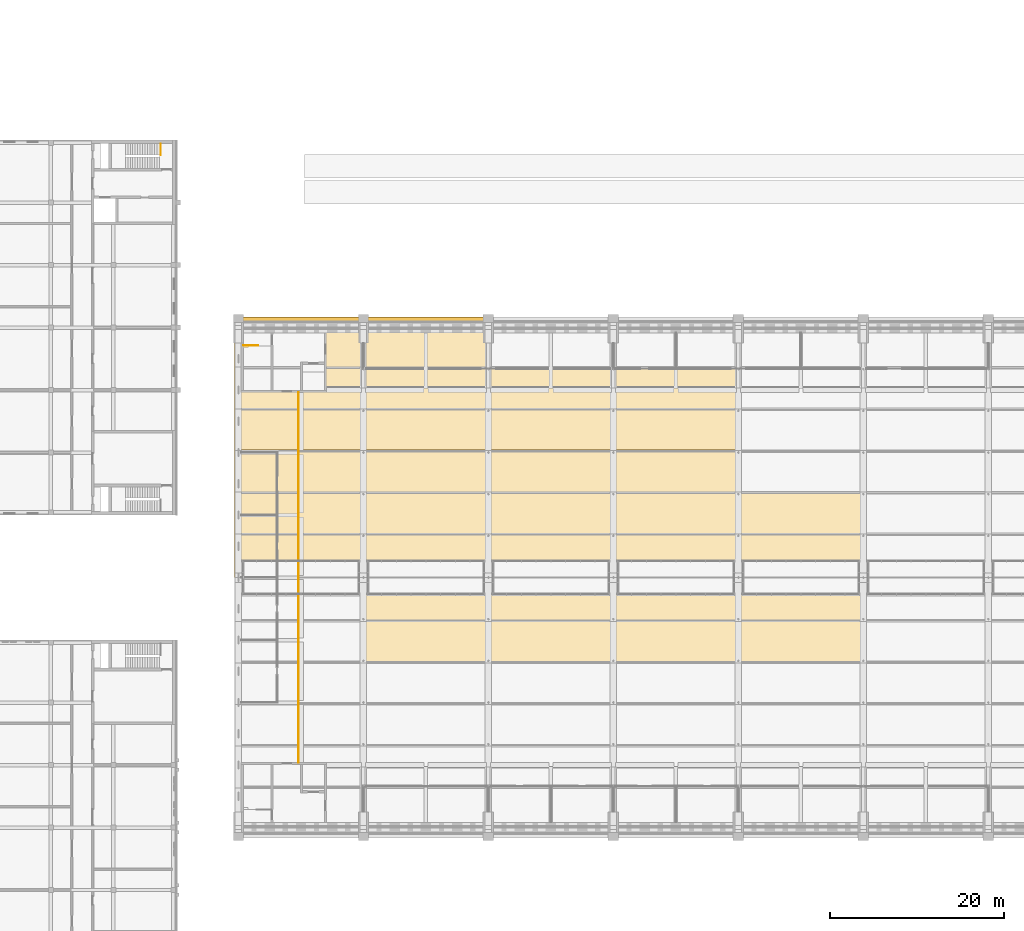
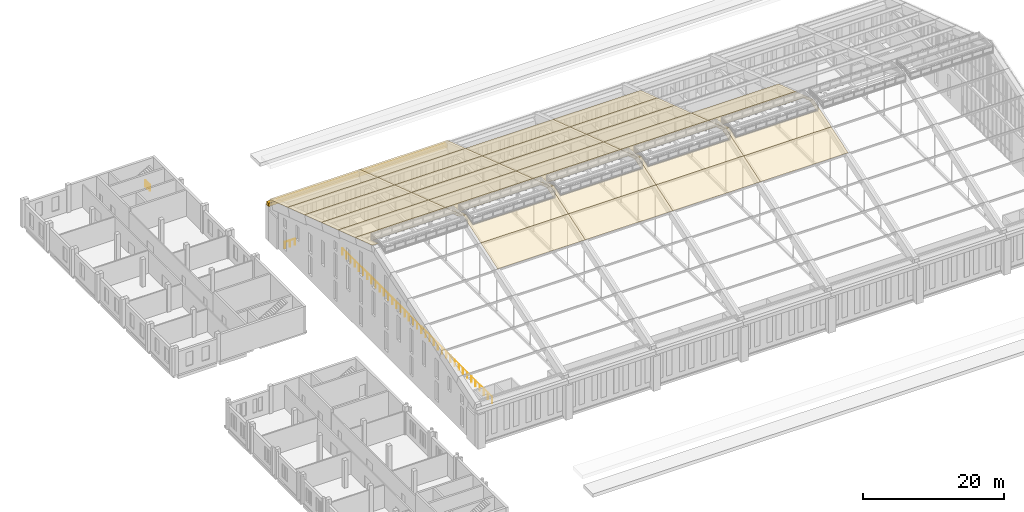
# One storey, part 147 of 149: 34 coverings, 3 railings.
"""IFC4 building model written with IfcOpenShell, lengths in metres."""

import ifcopenshell
import ifcopenshell.guid

model = None  # the IFC model being written
_history = None  # IfcOwnerHistory: only IFC2X3 demands one
_inside = {}  # id of a spatial element -> (the spatial element, [elements in it])
_under = {}  # id of a project, library or spatial element -> (it, [spatial elements below it])
_declared = {}  # id of a project -> (the project, [libraries it declares])
_typed = {}  # id of a type object -> (the type object, [elements of that type])
_made_of = {}  # id of a material, layer set ... -> (it, [elements and type objects made of it])


def new_model(schema):
    """Start an empty IFC model of exactly this schema.

    Asked for "IFC4X3", IfcOpenShell would pick the latest addendum, in which some entities
    have other attributes; the version numbers below select the first issue.
    IFC2X3 requires an IfcOwnerHistory on every rooted entity: one is made here for all.
    """
    global model, _history
    if schema == "IFC4X3":
        model = ifcopenshell.file(schema_version=(4, 3, 0, 0))
    else:
        model = ifcopenshell.file(schema=schema)
    _inside.clear()
    _under.clear()
    _declared.clear()
    _typed.clear()
    _made_of.clear()
    _history = None
    if model.schema == "IFC2X3":
        org = make("IfcOrganization", Name="unknown")
        user = make(
            "IfcPersonAndOrganization",
            ThePerson=make("IfcPerson", FamilyName="unknown"),
            TheOrganization=org,
        )
        app = make(
            "IfcApplication",
            ApplicationDeveloper=org,
            Version="unknown",
            ApplicationFullName="unknown",
            ApplicationIdentifier="unknown",
        )
        _history = make(
            "IfcOwnerHistory",
            OwningUser=user,
            OwningApplication=app,
            ChangeAction="ADDED",
            CreationDate=0,
        )
    return model


def make(cls, **values):
    """One entity of the class cls with the attributes given. An attribute that is None is left unset."""
    return model.create_entity(
        cls, **{name: value for name, value in values.items() if value is not None}
    )


def rooted(cls, **values):
    """An entity with a GlobalId (a new one), such as an element, a storey or a relation."""
    return make(cls, GlobalId=ifcopenshell.guid.new(), OwnerHistory=_history, **values)


def si_unit(unit_type, name, prefix=None):
    """IfcSIUnit, for example si_unit("LENGTHUNIT", "METRE", prefix="MILLI")."""
    return make("IfcSIUnit", UnitType=unit_type, Prefix=prefix, Name=name)


def assignment(units):
    """IfcUnitAssignment: the units of a project."""
    return None if units is None else make("IfcUnitAssignment", Units=units)


def point(xyz):
    """IfcCartesianPoint."""
    return None if xyz is None else make("IfcCartesianPoint", Coordinates=xyz)


def direction(xyz):
    """IfcDirection."""
    return None if xyz is None else make("IfcDirection", DirectionRatios=xyz)


def frame(location, z_axis=None, x_axis=None):
    """IfcAxis2Placement3D, a coordinate frame: its origin and axes. An axis left out is left unset."""
    return make(
        "IfcAxis2Placement3D",
        Location=point(location),
        Axis=direction(z_axis),
        RefDirection=direction(x_axis),
    )


def frame_2d(location, x_axis=None):
    """IfcAxis2Placement2D, a coordinate frame in the plane: its origin and x axis."""
    return make(
        "IfcAxis2Placement2D", Location=point(location), RefDirection=direction(x_axis)
    )


def origin():
    """The frame at (0, 0, 0) with its axes left unset."""
    return frame((0.0, 0.0, 0.0))


def origin_2d():
    """The frame at (0, 0) in the plane with its x axis left unset."""
    return frame_2d((0.0, 0.0))


def place(relative_to, where):
    """IfcLocalPlacement: puts the frame where relative to a parent placement (None: the world)."""
    return make(
        "IfcLocalPlacement", PlacementRelTo=relative_to, RelativePlacement=where
    )


def context(
    kind, dimensions, precision=None, world=None, true_north=None, identifier=None
):
    """IfcGeometricRepresentationContext, for example the 3D "Model" context."""
    return make(
        "IfcGeometricRepresentationContext",
        ContextIdentifier=identifier,
        ContextType=kind,
        CoordinateSpaceDimension=dimensions,
        Precision=precision,
        WorldCoordinateSystem=world,
        TrueNorth=true_north,
    )


def subcontext(parent, identifier, kind, view, scale=None):
    """IfcGeometricRepresentationSubContext, for example "Body" below "Model"."""
    return make(
        "IfcGeometricRepresentationSubContext",
        ContextIdentifier=identifier,
        ContextType=kind,
        ParentContext=parent,
        TargetScale=scale,
        TargetView=view,
    )


def project(units=None, contexts=None):
    """IfcProject with its units and contexts."""
    return rooted(
        "IfcProject",
        Name="project",
        RepresentationContexts=contexts,
        UnitsInContext=assignment(units),
    )


def spatial(cls, under=None, at=None, **own):
    """A site, building, storey or space (cls), placed at a placement, below another one or the project."""
    s = rooted(cls, ObjectPlacement=at, **own)
    if under is not None:
        _under.setdefault(under.id(), (under, []))[1].append(s)
    return s


def polyline(points):
    """IfcPolyline through the points."""
    return make("IfcPolyline", Points=[point(p) for p in points])


def profile(cls, at=None, kind="AREA", **sizes):
    """A parametric profile (cls). Its sizes go by their IFC names, for example OverallWidth=200.0."""
    return make(cls, ProfileType=kind, Position=at, **sizes)


def rectangle(**sizes):
    """IfcRectangleProfileDef."""
    return profile("IfcRectangleProfileDef", **sizes)


def circle(**sizes):
    """IfcCircleProfileDef."""
    return profile("IfcCircleProfileDef", **sizes)


def outline(outer, holes=None, kind="AREA"):
    """IfcArbitraryClosedProfileDef: a profile drawn as a closed curve; with holes, ...WithVoids."""
    if holes is None:
        return make("IfcArbitraryClosedProfileDef", ProfileType=kind, OuterCurve=outer)
    return make(
        "IfcArbitraryProfileDefWithVoids",
        ProfileType=kind,
        OuterCurve=outer,
        InnerCurves=holes,
    )


def extrude(swept, where, along, depth):
    """IfcExtrudedAreaSolid: the profile swept, set in the frame where, extruded along a direction by depth."""
    return make(
        "IfcExtrudedAreaSolid",
        SweptArea=swept,
        Position=where,
        ExtrudedDirection=direction(along),
        Depth=depth,
    )


def shape(context_of_items, identifier, shape_type, items):
    """IfcShapeRepresentation: the items that make up one representation, for example the "Body"."""
    return make(
        "IfcShapeRepresentation",
        ContextOfItems=context_of_items,
        RepresentationIdentifier=identifier,
        RepresentationType=shape_type,
        Items=items,
    )


def material(Name=None, Category=None):
    """IfcMaterial."""
    return make("IfcMaterial", Name=Name, Category=Category)


def layer(
    of_material, thickness, ventilated=None, Name=None, Category=None, Priority=None
):
    """IfcMaterialLayer: one layer of a wall or slab, of a material (None: an air gap)."""
    return make(
        "IfcMaterialLayer",
        Material=of_material,
        LayerThickness=thickness,
        IsVentilated=ventilated,
        Name=Name,
        Category=Category,
        Priority=Priority,
    )


def layer_set(layers, Name=None):
    """IfcMaterialLayerSet."""
    return make("IfcMaterialLayerSet", MaterialLayers=layers, LayerSetName=Name)


def made_of(thing, what):
    """Note that an element or type object is made of a material, layer set ...; save() writes the relation."""
    if what is not None:
        _made_of.setdefault(what.id(), (what, []))[1].append(thing)
    return thing


def type_object(cls, material=None, **own):
    """A type object (cls), such as IfcWallType, which elements share."""
    return made_of(rooted(cls, **own), material)


def element(
    cls,
    number,
    at=None,
    inside=None,
    cuts=None,
    type_object=None,
    material=None,
    context=None,
    identifier="Body",
    shape_type=None,
    held_by="IfcProductDefinitionShape",
    body=None,
    shapes=None,
    **own,
):
    """One element of the class cls, such as IfcWall. Its Tag is "e" and its number.

    at: its placement. inside: the storey or other place that contains it. cuts: it is an
    opening in that element (IfcRelVoidsElement). A single representation is given by context,
    identifier, shape_type and body (its items); several are given by shapes. held_by: the class
    of the entity that holds the representations. save() writes the other relations.
    """
    e = rooted(cls, Tag="e%d" % number, ObjectPlacement=at, **own)
    if body is not None:
        shapes = [shape(context, identifier, shape_type, body)]
    if shapes is not None:
        e.Representation = make(held_by, Representations=shapes)
    if inside is not None:
        _inside.setdefault(inside.id(), (inside, []))[1].append(e)
    if cuts is not None:
        rooted(
            "IfcRelVoidsElement", RelatingBuildingElement=cuts, RelatedOpeningElement=e
        )
    if type_object is not None:
        _typed.setdefault(type_object.id(), (type_object, []))[1].append(e)
    return made_of(e, material)


def aggregate(whole, parts):
    """IfcRelAggregates: a whole, such as a stair, and the parts it consists of."""
    return rooted("IfcRelAggregates", RelatingObject=whole, RelatedObjects=parts)


def save(model, path):
    """Write the relations noted so far, then the file.

    IfcRelAggregates (storeys below a building ...), IfcRelContainedInSpatialStructure (elements
    in a storey), IfcRelDefinesByType, IfcRelAssociatesMaterial and IfcRelDeclares: one each for
    every whole, place, type object, material and project.
    """
    for whole, parts in _under.values():
        aggregate(whole, parts)
    for where, things in _inside.values():
        rooted(
            "IfcRelContainedInSpatialStructure",
            RelatedElements=things,
            RelatingStructure=where,
        )
    for kind, things in _typed.values():
        rooted("IfcRelDefinesByType", RelatedObjects=things, RelatingType=kind)
    for what, things in _made_of.values():
        rooted("IfcRelAssociatesMaterial", RelatedObjects=things, RelatingMaterial=what)
    for by, libraries in _declared.values():
        rooted("IfcRelDeclares", RelatingContext=by, RelatedDefinitions=libraries)
    model.write(path)


model = new_model("IFC4")

# Units and contexts
model_context = context("Model", 3, precision=1e-05, world=origin(), true_north=direction((0.0, 1.0)))
body_context = subcontext(model_context, "Body", "Model", "MODEL_VIEW")
ifc_project = project(units=[si_unit("LENGTHUNIT", "METRE"), si_unit("AREAUNIT", "SQUARE_METRE"), si_unit("VOLUMEUNIT", "CUBIC_METRE"), si_unit("PLANEANGLEUNIT", "RADIAN"), si_unit("MASSUNIT", "GRAM", prefix="KILO")], contexts=[model_context])

# Site, building, storey
site_placement = place(None, origin())
site = spatial("IfcSite", under=ifc_project, at=site_placement, CompositionType="ELEMENT")
building_placement = place(site_placement, origin())
building = spatial("IfcBuilding", under=site, at=building_placement, Name="Alderwick Market Hall", CompositionType="ELEMENT")
storey_placement = place(building_placement, frame((0.0, 0.0, 9.60009765625)))
storey = spatial("IfcBuildingStorey", under=building, at=storey_placement, Name="L01", CompositionType="ELEMENT", Elevation=9.60009765625)

# Railing
ifc_material_1 = material(Name="Steel ASTM A500 Grade C", Category="steel")
railing_type_1 = type_object("IfcRailingType", Name="B Stair Guard 1100", PredefinedType="GUARDRAIL", material=ifc_material_1)
railing_1_placement = place(storey_placement, frame((41.449951171875, 129.14990234375, 0.0)))
element("IfcRailing", 1, at=railing_1_placement, inside=storey, type_object=railing_type_1, Name="Stair well guard", PredefinedType="GUARDRAIL", context=body_context, shape_type="SweptSolid", body=[
    extrude(circle(Radius=0.02392578125, at=origin_2d()), frame((0.0, 0.0, 1.076171875), z_axis=(0.0, -1.0, 0.0), x_axis=(1.0, 0.0, 0.0)), (0.0, 0.0, 1.0), 1.27001953125),
    extrude(circle(Radius=0.02099609375, at=origin_2d()), origin(), (0.0, 0.0, 1.0), 1.052001953125),
    extrude(circle(Radius=0.02099609375, at=origin_2d()), frame((0.0, -0.635009765625, 0.0)), (0.0, 0.0, 1.0), 1.052001953125),
    extrude(circle(Radius=0.02099609375, at=origin_2d()), frame((0.0, -1.27001953125, 0.0)), (0.0, 0.0, 1.0), 1.052001953125),
])

# Coverings
ifc_material_2 = material(Name="Cast stone 5000 psi (f'c 35 MPa), ASTM C1364", Category="masonry")
ifc_layer_1 = layer(ifc_material_2, 0.60009765625)
ifc_layer_set_1 = layer_set([ifc_layer_1], Name="Cast stone 5000 psi (f'c 35 MPa), ASTM C1364")
covering_type_1 = type_object("IfcCoveringType", Name="H Cornice 600", PredefinedType="CLADDING", material=ifc_layer_set_1)
covering_1_placement = place(storey_placement, frame((49.800048828125, 108.89990234375, 6.0), z_axis=(0.0, 0.0, 1.0), x_axis=(1.0, 0.0, 0.0)))
element("IfcCovering", 2, at=covering_1_placement, inside=storey, type_object=covering_type_1, Name="Cornice N", PredefinedType="CLADDING", context=body_context, shape_type="SweptSolid", body=[
    extrude(rectangle(XDim=15.0, YDim=0.60009765625, at=frame_2d((7.5, 0.0))), origin(), (0.0, 0.0, 1.0), 0.599853515625),
])
covering_2_placement = place(storey_placement, frame((64.800048828125, 108.89990234375, 6.0), z_axis=(0.0, 0.0, 1.0), x_axis=(1.0, 0.0, 0.0)))
element("IfcCovering", 3, at=covering_2_placement, inside=storey, type_object=covering_type_1, Name="Cornice N", PredefinedType="CLADDING", context=body_context, shape_type="SweptSolid", body=[
    extrude(rectangle(XDim=14.39990234375, YDim=0.60009765625, at=frame_2d((7.199951171875, 0.0))), origin(), (0.0, 0.0, 1.0), 0.599853515625),
])

# Railings
ifc_material_3 = material(Name="Steel, painted", Category="steel")
railing_type_2 = type_object("IfcRailingType", Name="H Guard 1100", PredefinedType="GUARDRAIL", material=ifc_material_3)
railing_2_placement = place(storey_placement, frame((51.0, 105.949951171875, 0.0)))
element("IfcRailing", 4, at=railing_2_placement, inside=storey, type_object=railing_type_2, Name="L01 H-NW top well guard 1", PredefinedType="GUARDRAIL", context=body_context, shape_type="SweptSolid", body=[
    extrude(circle(Radius=0.02392578125, at=origin_2d()), frame((0.0, 0.0, 1.076171875), z_axis=(1.0, 0.0, 0.0), x_axis=(0.0, 1.0, 0.0)), (0.0, 0.0, 1.0), 1.64990234375),
    extrude(circle(Radius=0.02099609375, at=origin_2d()), origin(), (0.0, 0.0, 1.0), 1.052001953125),
    extrude(circle(Radius=0.02099609375, at=origin_2d()), frame((0.824951171875, 0.0, 0.0)), (0.0, 0.0, 1.0), 1.052001953125),
    extrude(circle(Radius=0.02099609375, at=origin_2d()), frame((1.64990234375, 0.0, 0.0)), (0.0, 0.0, 1.0), 1.052001953125),
])
railing_3_placement = place(storey_placement, frame((57.300048828125, 57.889892578125, 0.0)))
element("IfcRailing", 5, at=railing_3_placement, inside=storey, type_object=railing_type_2, Name="Gallery guard W L01", PredefinedType="GUARDRAIL", context=body_context, shape_type="SweptSolid", body=[
    extrude(circle(Radius=0.02392578125, at=origin_2d()), frame((0.0, 0.0, 1.076171875), z_axis=(0.0, 1.0, 0.0), x_axis=(-1.0, 0.0, 0.0)), (0.0, 0.0, 1.0), 42.6201171875),
    extrude(circle(Radius=0.02099609375, at=origin_2d()), origin(), (0.0, 0.0, 1.0), 1.052001953125),
    extrude(circle(Radius=0.02099609375, at=origin_2d()), frame((0.0, 1.183837890625, 0.0)), (0.0, 0.0, 1.0), 1.052001953125),
    extrude(circle(Radius=0.02099609375, at=origin_2d()), frame((0.0, 2.36767578125, 0.0)), (0.0, 0.0, 1.0), 1.052001953125),
    extrude(circle(Radius=0.02099609375, at=origin_2d()), frame((0.0, 3.5517578125, 0.0)), (0.0, 0.0, 1.0), 1.052001953125),
    extrude(circle(Radius=0.02099609375, at=origin_2d()), frame((0.0, 4.735595703125, 0.0)), (0.0, 0.0, 1.0), 1.052001953125),
    extrude(circle(Radius=0.02099609375, at=origin_2d()), frame((0.0, 5.91943359375, 0.0)), (0.0, 0.0, 1.0), 1.052001953125),
    extrude(circle(Radius=0.02099609375, at=origin_2d()), frame((0.0, 7.103271484375, 0.0)), (0.0, 0.0, 1.0), 1.052001953125),
    extrude(circle(Radius=0.02099609375, at=origin_2d()), frame((0.0, 8.287353515625, 0.0)), (0.0, 0.0, 1.0), 1.052001953125),
    extrude(circle(Radius=0.02099609375, at=origin_2d()), frame((0.0, 9.47119140625, 0.0)), (0.0, 0.0, 1.0), 1.052001953125),
    extrude(circle(Radius=0.02099609375, at=origin_2d()), frame((0.0, 10.655029296875, 0.0)), (0.0, 0.0, 1.0), 1.052001953125),
    extrude(circle(Radius=0.02099609375, at=origin_2d()), frame((0.0, 11.8388671875, 0.0)), (0.0, 0.0, 1.0), 1.052001953125),
    extrude(circle(Radius=0.02099609375, at=origin_2d()), frame((0.0, 13.022705078125, 0.0)), (0.0, 0.0, 1.0), 1.052001953125),
    extrude(circle(Radius=0.02099609375, at=origin_2d()), frame((0.0, 14.206787109375, 0.0)), (0.0, 0.0, 1.0), 1.052001953125),
    extrude(circle(Radius=0.02099609375, at=origin_2d()), frame((0.0, 15.390625, 0.0)), (0.0, 0.0, 1.0), 1.052001953125),
    extrude(circle(Radius=0.02099609375, at=origin_2d()), frame((0.0, 16.574462890625, 0.0)), (0.0, 0.0, 1.0), 1.052001953125),
    extrude(circle(Radius=0.02099609375, at=origin_2d()), frame((0.0, 17.75830078125, 0.0)), (0.0, 0.0, 1.0), 1.052001953125),
    extrude(circle(Radius=0.02099609375, at=origin_2d()), frame((0.0, 18.9423828125, 0.0)), (0.0, 0.0, 1.0), 1.052001953125),
    extrude(circle(Radius=0.02099609375, at=origin_2d()), frame((0.0, 20.126220703125, 0.0)), (0.0, 0.0, 1.0), 1.052001953125),
    extrude(circle(Radius=0.02099609375, at=origin_2d()), frame((0.0, 21.31005859375, 0.0)), (0.0, 0.0, 1.0), 1.052001953125),
    extrude(circle(Radius=0.02099609375, at=origin_2d()), frame((0.0, 22.493896484375, 0.0)), (0.0, 0.0, 1.0), 1.052001953125),
    extrude(circle(Radius=0.02099609375, at=origin_2d()), frame((0.0, 23.677734375, 0.0)), (0.0, 0.0, 1.0), 1.052001953125),
    extrude(circle(Radius=0.02099609375, at=origin_2d()), frame((0.0, 24.86181640625, 0.0)), (0.0, 0.0, 1.0), 1.052001953125),
    extrude(circle(Radius=0.02099609375, at=origin_2d()), frame((0.0, 26.045654296875, 0.0)), (0.0, 0.0, 1.0), 1.052001953125),
    extrude(circle(Radius=0.02099609375, at=origin_2d()), frame((0.0, 27.2294921875, 0.0)), (0.0, 0.0, 1.0), 1.052001953125),
    extrude(circle(Radius=0.02099609375, at=origin_2d()), frame((0.0, 28.413330078125, 0.0)), (0.0, 0.0, 1.0), 1.052001953125),
    extrude(circle(Radius=0.02099609375, at=origin_2d()), frame((0.0, 29.597412109375, 0.0)), (0.0, 0.0, 1.0), 1.052001953125),
    extrude(circle(Radius=0.02099609375, at=origin_2d()), frame((0.0, 30.78125, 0.0)), (0.0, 0.0, 1.0), 1.052001953125),
    extrude(circle(Radius=0.02099609375, at=origin_2d()), frame((0.0, 31.965087890625, 0.0)), (0.0, 0.0, 1.0), 1.052001953125),
    extrude(circle(Radius=0.02099609375, at=origin_2d()), frame((0.0, 33.14892578125, 0.0)), (0.0, 0.0, 1.0), 1.052001953125),
    extrude(circle(Radius=0.02099609375, at=origin_2d()), frame((0.0, 34.332763671875, 0.0)), (0.0, 0.0, 1.0), 1.052001953125),
    extrude(circle(Radius=0.02099609375, at=origin_2d()), frame((0.0, 35.516845703125, 0.0)), (0.0, 0.0, 1.0), 1.052001953125),
    extrude(circle(Radius=0.02099609375, at=origin_2d()), frame((0.0, 36.70068359375, 0.0)), (0.0, 0.0, 1.0), 1.052001953125),
    extrude(circle(Radius=0.02099609375, at=origin_2d()), frame((0.0, 37.884521484375, 0.0)), (0.0, 0.0, 1.0), 1.052001953125),
    extrude(circle(Radius=0.02099609375, at=origin_2d()), frame((0.0, 39.068359375, 0.0)), (0.0, 0.0, 1.0), 1.052001953125),
    extrude(circle(Radius=0.02099609375, at=origin_2d()), frame((0.0, 40.25244140625, 0.0)), (0.0, 0.0, 1.0), 1.052001953125),
    extrude(circle(Radius=0.02099609375, at=origin_2d()), frame((0.0, 41.436279296875, 0.0)), (0.0, 0.0, 1.0), 1.052001953125),
    extrude(circle(Radius=0.02099609375, at=origin_2d()), frame((0.0, 42.6201171875, 0.0)), (0.0, 0.0, 1.0), 1.052001953125),
])

# Coverings
ifc_material_4 = material(Name="Copper standing seam roofing")
ifc_layer_2 = layer(ifc_material_4, 0.00390625)
ifc_layer_set_2 = layer_set([ifc_layer_2], Name="Copper standing seam roofing")
covering_type_2 = type_object("IfcCoveringType", Name="R Copper Roofing 4 mm", PredefinedType="ROOFING", material=ifc_layer_set_2)
covering_3_placement = place(storey_placement, frame((49.949951171875, 79.199951171875, 17.0791015625), z_axis=(0.0, 0.316247964303, 0.94867656505), x_axis=(1.0, 0.0, 0.0)))
element("IfcCovering", 6, at=covering_3_placement, inside=storey, type_object=covering_type_2, Name="Copper roofing 1.7", PredefinedType="ROOFING", context=body_context, shape_type="SweptSolid", body=[
    extrude(outline(polyline([(0.0, 0.0), (1.050048828125, 0.0), (1.050048828125, 1.9254688678399408), (14.25, 1.9254688678399408), (14.25, 0.0), (14.85009765625, 0.0), (14.85009765625, 5.3376560207235375), (0.0, 5.3376560207235375), (0.0, 0.0)])), origin(), (0.0, 0.0, -1.0), 0.00390625),
])
covering_4_placement = place(storey_placement, frame((49.949951171875, 84.263671875, 15.39111328125), z_axis=(0.0, 0.316242241517, 0.948678472761), x_axis=(1.0, 0.0, 0.0)))
element("IfcCovering", 7, at=covering_4_placement, inside=storey, type_object=covering_type_2, Name="Copper roofing 1.8", PredefinedType="ROOFING", context=body_context, shape_type="SweptSolid", body=[
    extrude(outline(polyline([(0.0, 0.0), (14.85009765625, 0.0), (14.85009765625, 5.059721460902856), (0.0, 5.059721460902856), (0.0, 0.0)])), origin(), (0.0, 0.0, -1.0), 0.00390625),
])
covering_5_placement = place(storey_placement, frame((49.949951171875, 89.063720703125, 13.791015625), z_axis=(0.0, 0.316198814353, 0.948692948114), x_axis=(1.0, 0.0, 0.0)))
element("IfcCovering", 8, at=covering_5_placement, inside=storey, type_object=covering_type_2, Name="Copper roofing 1.9", PredefinedType="ROOFING", context=body_context, shape_type="SweptSolid", body=[
    extrude(outline(polyline([(0.0, 0.0), (14.85009765625, 0.0), (14.85009765625, 5.059644258625488), (0.0, 5.059644258625488), (0.0, 0.0)])), origin(), (0.0, 0.0, -1.0), 0.00390625),
])
covering_6_placement = place(storey_placement, frame((49.949951171875, 93.86376953125, 12.191162109375), z_axis=(0.0, 0.316242241517, 0.948678472761), x_axis=(1.0, 0.0, 0.0)))
element("IfcCovering", 9, at=covering_6_placement, inside=storey, type_object=covering_type_2, Name="Copper roofing 1.10", PredefinedType="ROOFING", context=body_context, shape_type="SweptSolid", body=[
    extrude(outline(polyline([(0.0, 0.0), (14.85009765625, 0.0), (14.85009765625, 5.059721460902856), (0.0, 5.059721460902856), (0.0, 0.0)])), origin(), (0.0, 0.0, -1.0), 0.00390625),
])
covering_7_placement = place(storey_placement, frame((49.949951171875, 98.663818359375, 10.591064453125), z_axis=(0.0, 0.316213289559, 0.948688123414), x_axis=(1.0, 0.0, 0.0)))
element("IfcCovering", 10, at=covering_7_placement, inside=storey, type_object=covering_type_2, Name="Copper roofing 1.11", PredefinedType="ROOFING", context=body_context, shape_type="SweptSolid", body=[
    extrude(outline(polyline([(0.0, 0.0), (14.85009765625, 0.0), (14.85009765625, 5.059412644725142), (0.0, 5.059412644725142), (0.0, 0.0)])), origin(), (0.0, 0.0, -1.0), 0.00390625),
])
covering_8_placement = place(storey_placement, frame((49.949951171875, 103.463623046875, 8.9912109375), z_axis=(0.0, 0.316227766017, 0.948683298051), x_axis=(1.0, 0.0, 0.0)))
element("IfcCovering", 11, at=covering_8_placement, inside=storey, type_object=covering_type_2, Name="Copper roofing 1.12", PredefinedType="ROOFING", context=body_context, shape_type="SweptSolid", body=[
    extrude(outline(polyline([(0.0, 0.0), (14.85009765625, 0.0), (14.85009765625, 5.442113092413796), (0.0, 5.442113092413796), (0.0, 0.0)])), origin(), (0.0, 0.0, -1.0), 0.00390625),
])
covering_9_placement = place(storey_placement, frame((64.800048828125, 69.336181640625, 13.791015625), z_axis=(0.0, -0.316242241517, 0.948678472761), x_axis=(1.0, 0.0, 0.0)))
element("IfcCovering", 12, at=covering_9_placement, inside=storey, type_object=covering_type_2, Name="Copper roofing 2.5", PredefinedType="ROOFING", context=body_context, shape_type="SweptSolid", body=[
    extrude(outline(polyline([(0.0, 0.0), (14.39990234375, 0.0), (14.39990234375, 5.059721460902856), (0.0, 5.059721460902856), (0.0, 0.0)])), origin(), (0.0, 0.0, -1.0), 0.00390625),
])
covering_10_placement = place(storey_placement, frame((64.800048828125, 74.13623046875, 15.39111328125), z_axis=(0.0, -0.316229473931, 0.948682728744), x_axis=(1.0, 0.0, 0.0)))
element("IfcCovering", 13, at=covering_10_placement, inside=storey, type_object=covering_type_2, Name="Copper roofing 2.6", PredefinedType="ROOFING", context=body_context, shape_type="SweptSolid", body=[
    extrude(outline(polyline([(0.0, 0.0), (14.39990234375, 0.0), (14.39990234375, 5.337656020419923), (13.800048828125, 5.337656020419923), (13.800048828125, 3.4124187641410124), (0.599853515625, 3.4124187641410124), (0.599853515625, 5.337656020419923), (0.0, 5.337656020419923), (0.0, 0.0)])), origin(), (0.0, 0.0, -1.0), 0.00390625),
])
covering_11_placement = place(storey_placement, frame((64.800048828125, 79.199951171875, 17.0791015625), z_axis=(0.0, 0.316248267004, 0.948676464142), x_axis=(1.0, 0.0, 0.0)))
element("IfcCovering", 14, at=covering_11_placement, inside=storey, type_object=covering_type_2, Name="Copper roofing 2.7", PredefinedType="ROOFING", context=body_context, shape_type="SweptSolid", body=[
    extrude(outline(polyline([(0.0, 0.0), (0.599853515625, 0.0), (0.599853515625, 1.9254688678267622), (13.800048828125, 1.9254688678267622), (13.800048828125, 0.0), (14.39990234375, 0.0), (14.39990234375, 5.3376560207116395), (0.0, 5.3376560207116395), (0.0, 0.0)])), origin(), (0.0, 0.0, -1.0), 0.00390625),
])
covering_12_placement = place(storey_placement, frame((64.800048828125, 84.263671875, 15.39111328125), z_axis=(0.0, 0.316242241517, 0.948678472761), x_axis=(1.0, 0.0, 0.0)))
element("IfcCovering", 15, at=covering_12_placement, inside=storey, type_object=covering_type_2, Name="Copper roofing 2.8", PredefinedType="ROOFING", context=body_context, shape_type="SweptSolid", body=[
    extrude(outline(polyline([(0.0, 0.0), (14.39990234375, 0.0), (14.39990234375, 5.059721460902856), (0.0, 5.059721460902856), (0.0, 0.0)])), origin(), (0.0, 0.0, -1.0), 0.00390625),
])
covering_13_placement = place(storey_placement, frame((64.800048828125, 89.063720703125, 13.791015625), z_axis=(0.0, 0.316198814353, 0.948692948114), x_axis=(1.0, 0.0, 0.0)))
element("IfcCovering", 16, at=covering_13_placement, inside=storey, type_object=covering_type_2, Name="Copper roofing 2.9", PredefinedType="ROOFING", context=body_context, shape_type="SweptSolid", body=[
    extrude(outline(polyline([(0.0, 0.0), (14.39990234375, 0.0), (14.39990234375, 5.059644258625488), (0.0, 5.059644258625488), (0.0, 0.0)])), origin(), (0.0, 0.0, -1.0), 0.00390625),
])
covering_14_placement = place(storey_placement, frame((64.800048828125, 93.86376953125, 12.191162109375), z_axis=(0.0, 0.316242241517, 0.948678472761), x_axis=(1.0, 0.0, 0.0)))
element("IfcCovering", 17, at=covering_14_placement, inside=storey, type_object=covering_type_2, Name="Copper roofing 2.10", PredefinedType="ROOFING", context=body_context, shape_type="SweptSolid", body=[
    extrude(outline(polyline([(0.0, 0.0), (14.39990234375, 0.0), (14.39990234375, 5.059721460902856), (0.0, 5.059721460902856), (0.0, 0.0)])), origin(), (0.0, 0.0, -1.0), 0.00390625),
])
covering_15_placement = place(storey_placement, frame((64.800048828125, 98.663818359375, 10.591064453125), z_axis=(0.0, 0.316213289559, 0.948688123414), x_axis=(1.0, 0.0, 0.0)))
element("IfcCovering", 18, at=covering_15_placement, inside=storey, type_object=covering_type_2, Name="Copper roofing 2.11", PredefinedType="ROOFING", context=body_context, shape_type="SweptSolid", body=[
    extrude(outline(polyline([(0.0, 0.0), (14.39990234375, 0.0), (14.39990234375, 5.059412644725141), (0.0, 5.059412644725141), (0.0, 0.0)])), origin(), (0.0, 0.0, -1.0), 0.00390625),
])
covering_16_placement = place(storey_placement, frame((64.800048828125, 103.463623046875, 8.9912109375), z_axis=(0.0, 0.316227766017, 0.948683298051), x_axis=(1.0, 0.0, 0.0)))
element("IfcCovering", 19, at=covering_16_placement, inside=storey, type_object=covering_type_2, Name="Copper roofing 2.12", PredefinedType="ROOFING", context=body_context, shape_type="SweptSolid", body=[
    extrude(outline(polyline([(0.0, 0.0), (14.39990234375, 0.0), (14.39990234375, 5.442113092413796), (0.0, 5.442113092413796), (0.0, 0.0)])), origin(), (0.0, 0.0, -1.0), 0.00390625),
])
covering_17_placement = place(storey_placement, frame((79.199951171875, 69.336181640625, 13.791015625), z_axis=(0.0, -0.316242241517, 0.948678472761), x_axis=(1.0, 0.0, 0.0)))
element("IfcCovering", 20, at=covering_17_placement, inside=storey, type_object=covering_type_2, Name="Copper roofing 3.5", PredefinedType="ROOFING", context=body_context, shape_type="SweptSolid", body=[
    extrude(outline(polyline([(0.0, 0.0), (14.400146484375, 0.0), (14.400146484375, 5.059721460902856), (0.0, 5.059721460902856), (0.0, 0.0)])), origin(), (0.0, 0.0, -1.0), 0.00390625),
])
covering_18_placement = place(storey_placement, frame((79.199951171875, 74.13623046875, 15.39111328125), z_axis=(0.0, -0.316229474567, 0.948682728532), x_axis=(1.0, 0.0, 0.0)))
element("IfcCovering", 21, at=covering_18_placement, inside=storey, type_object=covering_type_2, Name="Copper roofing 3.6", PredefinedType="ROOFING", context=body_context, shape_type="SweptSolid", body=[
    extrude(outline(polyline([(0.0, 0.0), (14.400146484375, 0.0), (14.400146484375, 5.337656020419967), (13.800048828125, 5.337656020419967), (13.800048828125, 3.4124187641410084), (0.60009765625, 3.4124187641410084), (0.60009765625, 5.337656020419967), (0.0, 5.337656020419967), (0.0, 0.0)])), origin(), (0.0, 0.0, -1.0), 0.00390625),
])
covering_19_placement = place(storey_placement, frame((79.199951171875, 79.199951171875, 17.0791015625), z_axis=(0.0, 0.316248266645, 0.948676464262), x_axis=(1.0, 0.0, 0.0)))
element("IfcCovering", 22, at=covering_19_placement, inside=storey, type_object=covering_type_2, Name="Copper roofing 3.7", PredefinedType="ROOFING", context=body_context, shape_type="SweptSolid", body=[
    extrude(outline(polyline([(0.0, 0.0), (0.60009765625, 0.0), (0.60009765625, 1.9254688678267775), (13.800048828125, 1.9254688678267775), (13.800048828125, 0.0), (14.400146484375, 0.0), (14.400146484375, 5.337656020711652), (0.0, 5.337656020711652), (0.0, 0.0)])), origin(), (0.0, 0.0, -1.0), 0.00390625),
])
covering_20_placement = place(storey_placement, frame((79.199951171875, 84.263671875, 15.39111328125), z_axis=(0.0, 0.316242241517, 0.948678472761), x_axis=(1.0, 0.0, 0.0)))
element("IfcCovering", 23, at=covering_20_placement, inside=storey, type_object=covering_type_2, Name="Copper roofing 3.8", PredefinedType="ROOFING", context=body_context, shape_type="SweptSolid", body=[
    extrude(outline(polyline([(0.0, 0.0), (14.400146484375, 0.0), (14.400146484375, 5.059721460902856), (0.0, 5.059721460902856), (0.0, 0.0)])), origin(), (0.0, 0.0, -1.0), 0.00390625),
])
covering_21_placement = place(storey_placement, frame((79.199951171875, 89.063720703125, 13.791015625), z_axis=(0.0, 0.316198814353, 0.948692948114), x_axis=(1.0, 0.0, 0.0)))
element("IfcCovering", 24, at=covering_21_placement, inside=storey, type_object=covering_type_2, Name="Copper roofing 3.9", PredefinedType="ROOFING", context=body_context, shape_type="SweptSolid", body=[
    extrude(outline(polyline([(0.0, 0.0), (14.400146484375, 0.0), (14.400146484375, 5.059644258625487), (0.0, 5.059644258625487), (0.0, 0.0)])), origin(), (0.0, 0.0, -1.0), 0.00390625),
])
covering_22_placement = place(storey_placement, frame((79.199951171875, 93.86376953125, 12.191162109375), z_axis=(0.0, 0.316242241517, 0.948678472761), x_axis=(1.0, 0.0, 0.0)))
element("IfcCovering", 25, at=covering_22_placement, inside=storey, type_object=covering_type_2, Name="Copper roofing 3.10", PredefinedType="ROOFING", context=body_context, shape_type="SweptSolid", body=[
    extrude(outline(polyline([(0.0, 0.0), (14.400146484375, 0.0), (14.400146484375, 5.059721460902856), (0.0, 5.059721460902856), (0.0, 0.0)])), origin(), (0.0, 0.0, -1.0), 0.00390625),
])
covering_23_placement = place(storey_placement, frame((79.199951171875, 98.663818359375, 10.591064453125), z_axis=(0.0, 0.316213289559, 0.948688123414), x_axis=(1.0, 0.0, 0.0)))
element("IfcCovering", 26, at=covering_23_placement, inside=storey, type_object=covering_type_2, Name="Copper roofing 3.11", PredefinedType="ROOFING", context=body_context, shape_type="SweptSolid", body=[
    extrude(outline(polyline([(0.0, 0.0), (14.400146484375, 0.0), (14.400146484375, 5.059412644725141), (0.0, 5.059412644725141), (0.0, 0.0)])), origin(), (0.0, 0.0, -1.0), 0.00390625),
])
covering_24_placement = place(storey_placement, frame((93.60009765625, 69.336181640625, 13.791015625), z_axis=(0.0, -0.316242241517, 0.948678472761), x_axis=(1.0, 0.0, 0.0)))
element("IfcCovering", 27, at=covering_24_placement, inside=storey, type_object=covering_type_2, Name="Copper roofing 4.5", PredefinedType="ROOFING", context=body_context, shape_type="SweptSolid", body=[
    extrude(outline(polyline([(0.0, 0.0), (14.39990234375, 0.0), (14.39990234375, 5.059721460902856), (0.0, 5.059721460902856), (0.0, 0.0)])), origin(), (0.0, 0.0, -1.0), 0.00390625),
])
covering_25_placement = place(storey_placement, frame((93.60009765625, 74.13623046875, 15.39111328125), z_axis=(0.0, -0.316229474263, 0.948682728633), x_axis=(1.0, 0.0, 0.0)))
element("IfcCovering", 28, at=covering_25_placement, inside=storey, type_object=covering_type_2, Name="Copper roofing 4.6", PredefinedType="ROOFING", context=body_context, shape_type="SweptSolid", body=[
    extrude(outline(polyline([(0.0, 0.0), (14.39990234375, 0.0), (14.39990234375, 5.337656020419945), (13.7998046875, 5.337656020419945), (13.7998046875, 3.4124187641410098), (0.599853515625, 3.4124187641410098), (0.599853515625, 5.337656020419945), (0.0, 5.337656020419945), (0.0, 0.0)])), origin(), (0.0, 0.0, -1.0), 0.00390625),
])
covering_26_placement = place(storey_placement, frame((93.60009765625, 79.199951171875, 17.0791015625), z_axis=(0.0, 0.316248266816, 0.948676464205), x_axis=(1.0, 0.0, 0.0)))
element("IfcCovering", 29, at=covering_26_placement, inside=storey, type_object=covering_type_2, Name="Copper roofing 4.7", PredefinedType="ROOFING", context=body_context, shape_type="SweptSolid", body=[
    extrude(outline(polyline([(0.0, 0.0), (0.599853515625, 0.0), (0.599853515625, 1.9254688678267702), (13.7998046875, 1.9254688678267702), (13.7998046875, 0.0), (14.39990234375, 0.0), (14.39990234375, 5.337656020711646), (0.0, 5.337656020711646), (0.0, 0.0)])), origin(), (0.0, 0.0, -1.0), 0.00390625),
])
covering_27_placement = place(storey_placement, frame((93.60009765625, 84.263671875, 15.39111328125), z_axis=(0.0, 0.316242241517, 0.948678472761), x_axis=(1.0, 0.0, 0.0)))
element("IfcCovering", 30, at=covering_27_placement, inside=storey, type_object=covering_type_2, Name="Copper roofing 4.8", PredefinedType="ROOFING", context=body_context, shape_type="SweptSolid", body=[
    extrude(outline(polyline([(0.0, 0.0), (14.39990234375, 0.0), (14.39990234375, 5.059721460902856), (0.0, 5.059721460902856), (0.0, 0.0)])), origin(), (0.0, 0.0, -1.0), 0.00390625),
])
covering_28_placement = place(storey_placement, frame((93.60009765625, 89.063720703125, 13.791015625), z_axis=(0.0, 0.316198814353, 0.948692948114), x_axis=(1.0, 0.0, 0.0)))
element("IfcCovering", 31, at=covering_28_placement, inside=storey, type_object=covering_type_2, Name="Copper roofing 4.9", PredefinedType="ROOFING", context=body_context, shape_type="SweptSolid", body=[
    extrude(outline(polyline([(0.0, 0.0), (14.39990234375, 0.0), (14.39990234375, 5.059644258625488), (0.0, 5.059644258625488), (0.0, 0.0)])), origin(), (0.0, 0.0, -1.0), 0.00390625),
])
covering_29_placement = place(storey_placement, frame((93.60009765625, 93.86376953125, 12.191162109375), z_axis=(0.0, 0.316242241517, 0.948678472761), x_axis=(1.0, 0.0, 0.0)))
element("IfcCovering", 32, at=covering_29_placement, inside=storey, type_object=covering_type_2, Name="Copper roofing 4.10", PredefinedType="ROOFING", context=body_context, shape_type="SweptSolid", body=[
    extrude(outline(polyline([(0.0, 0.0), (14.39990234375, 0.0), (14.39990234375, 5.059721460902856), (0.0, 5.059721460902856), (0.0, 0.0)])), origin(), (0.0, 0.0, -1.0), 0.00390625),
])
covering_30_placement = place(storey_placement, frame((93.60009765625, 98.663818359375, 10.591064453125), z_axis=(0.0, 0.316213289559, 0.948688123414), x_axis=(1.0, 0.0, 0.0)))
element("IfcCovering", 33, at=covering_30_placement, inside=storey, type_object=covering_type_2, Name="Copper roofing 4.11", PredefinedType="ROOFING", context=body_context, shape_type="SweptSolid", body=[
    extrude(outline(polyline([(0.0, 0.0), (14.39990234375, 0.0), (14.39990234375, 5.059412644725141), (0.0, 5.059412644725141), (0.0, 0.0)])), origin(), (0.0, 0.0, -1.0), 0.00390625),
])
covering_31_placement = place(storey_placement, frame((108.0, 69.336181640625, 13.791015625), z_axis=(0.0, -0.316242241517, 0.948678472761), x_axis=(1.0, 0.0, 0.0)))
element("IfcCovering", 34, at=covering_31_placement, inside=storey, type_object=covering_type_2, Name="Copper roofing 5.5", PredefinedType="ROOFING", context=body_context, shape_type="SweptSolid", body=[
    extrude(outline(polyline([(0.0, 0.0), (14.39990234375, 0.0), (14.39990234375, 5.059721460902856), (0.0, 5.059721460902856), (0.0, 0.0)])), origin(), (0.0, 0.0, -1.0), 0.00390625),
])
covering_32_placement = place(storey_placement, frame((108.0, 74.13623046875, 15.39111328125), z_axis=(0.0, -0.316229474263, 0.948682728633), x_axis=(1.0, 0.0, 0.0)))
element("IfcCovering", 35, at=covering_32_placement, inside=storey, type_object=covering_type_2, Name="Copper roofing 5.6", PredefinedType="ROOFING", context=body_context, shape_type="SweptSolid", body=[
    extrude(outline(polyline([(0.0, 0.0), (14.39990234375, 0.0), (14.39990234375, 5.337656020419945), (13.800048828125, 5.337656020419945), (13.800048828125, 3.4124187641410098), (0.60009765625, 3.4124187641410098), (0.60009765625, 5.337656020419945), (0.0, 5.337656020419945), (0.0, 0.0)])), origin(), (0.0, 0.0, -1.0), 0.00390625),
])
covering_33_placement = place(storey_placement, frame((108.0, 79.199951171875, 17.0791015625), z_axis=(0.0, 0.316248266816, 0.948676464205), x_axis=(1.0, 0.0, 0.0)))
element("IfcCovering", 36, at=covering_33_placement, inside=storey, type_object=covering_type_2, Name="Copper roofing 5.7", PredefinedType="ROOFING", context=body_context, shape_type="SweptSolid", body=[
    extrude(outline(polyline([(0.0, 0.0), (0.60009765625, 0.0), (0.60009765625, 1.9254688678267702), (13.800048828125, 1.9254688678267702), (13.800048828125, 0.0), (14.39990234375, 0.0), (14.39990234375, 5.337656020711646), (0.0, 5.337656020711646), (0.0, 0.0)])), origin(), (0.0, 0.0, -1.0), 0.00390625),
])
covering_34_placement = place(storey_placement, frame((108.0, 84.263671875, 15.39111328125), z_axis=(0.0, 0.316242241517, 0.948678472761), x_axis=(1.0, 0.0, 0.0)))
element("IfcCovering", 37, at=covering_34_placement, inside=storey, type_object=covering_type_2, Name="Copper roofing 5.8", PredefinedType="ROOFING", context=body_context, shape_type="SweptSolid", body=[
    extrude(outline(polyline([(0.0, 0.0), (14.39990234375, 0.0), (14.39990234375, 5.059721460902856), (0.0, 5.059721460902856), (0.0, 0.0)])), origin(), (0.0, 0.0, -1.0), 0.00390625),
])

save(model, "model.ifc")
